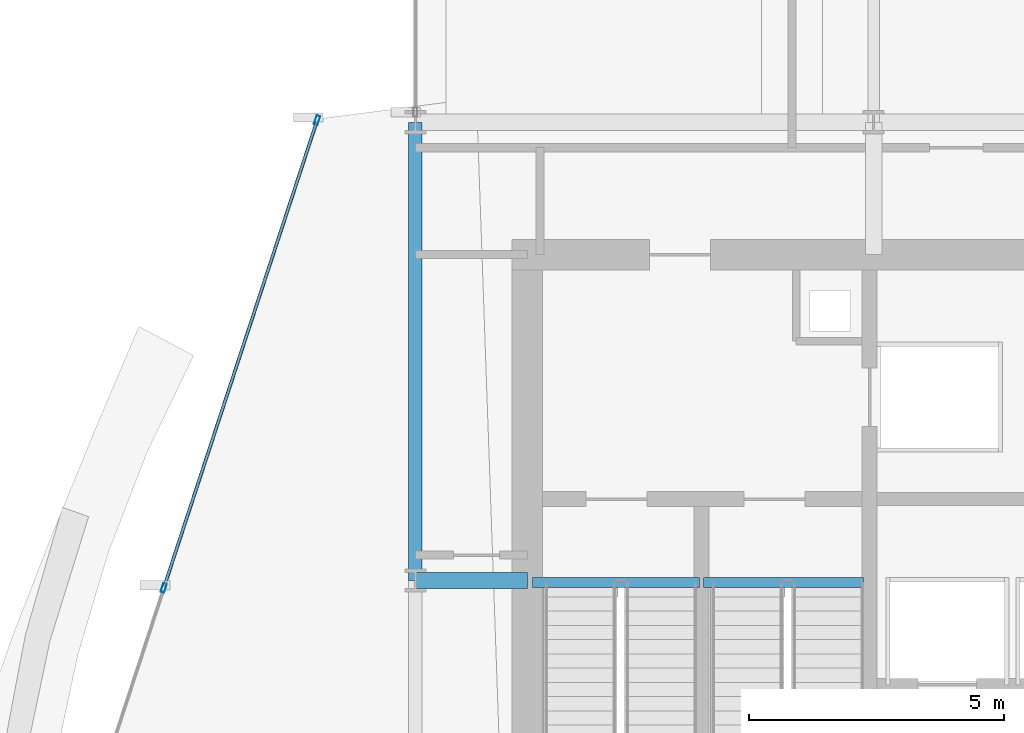
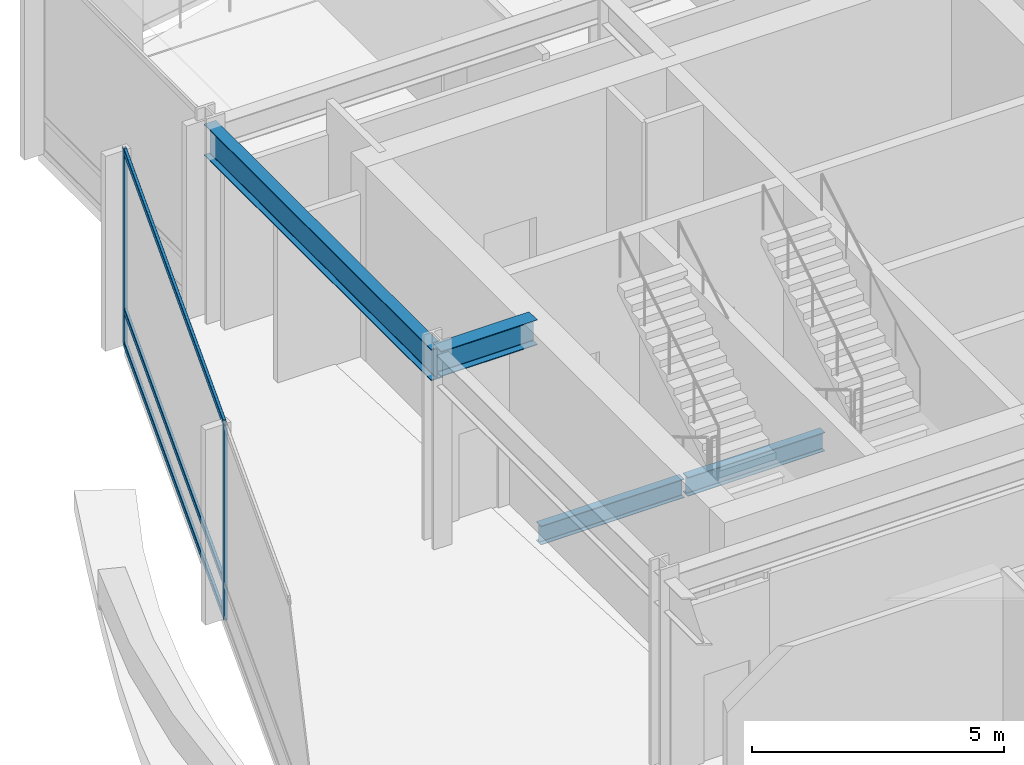
# One storey, part 15 of 33: 5 members, 4 beams, 1 element without a shape of its own.
"""IFC4 building model written with IfcOpenShell, lengths in metres."""

from ifc_helpers import new_model, si_unit, direction, frame, origin, origin_2d, place, context, subcontext, project, spatial, hollow_rectangle, i_section, extrude, material, layer, layer_set, material_profile, profile_set, type_object, element, aggregate, save


model = new_model("IFC4")

# Units and contexts
model_context = context("Model", 3, precision=1e-05, world=origin(), true_north=direction((0.0, 1.0)))
body_context = subcontext(model_context, "Body", "Model", "MODEL_VIEW")
ifc_project = project(units=[si_unit("LENGTHUNIT", "METRE"), si_unit("AREAUNIT", "SQUARE_METRE"), si_unit("VOLUMEUNIT", "CUBIC_METRE"), si_unit("PLANEANGLEUNIT", "RADIAN"), si_unit("MASSUNIT", "GRAM", prefix="KILO")], contexts=[model_context])

# Site, building, storey
site_placement = place(None, origin())
site = spatial("IfcSite", under=ifc_project, at=site_placement, CompositionType="ELEMENT")
building_placement = place(site_placement, origin())
building = spatial("IfcBuilding", under=site, at=building_placement, Name="Solvaryn Broadcast Tower", CompositionType="ELEMENT")
storey_placement = place(building_placement, frame((0.0, 0.0, 105.0)))
storey = spatial("IfcBuildingStorey", under=building, at=storey_placement, Name="L25", CompositionType="ELEMENT", Elevation=105.0)

# Beams
ifc_material_1 = material(Name="Steel ASTM A992 Grade 50", Category="steel")
ifc_material_profile_1 = material_profile(ifc_material_1, i_section(OverallWidth=0.323974609375, OverallDepth=0.611083984375, WebThickness=0.0126953125, FlangeThickness=0.01904296875, FilletRadius=0.014892578125, at=origin_2d()))
ifc_profile_set_1 = profile_set([ifc_material_profile_1], Name="Steel ASTM A992 Grade 50")
beam_type_1 = type_object("IfcBeamType", Name="BM-B1-W24X104", PredefinedType="BEAM", material=ifc_profile_set_1)
beam_1_placement = place(storey_placement, frame((9.0, 36.0, 4.41455078125), z_axis=(1.0, 0.0, 0.0), x_axis=(0.0, 1.0, 0.0)))
element("IfcBeam", 1, at=beam_1_placement, inside=storey, type_object=beam_type_1, Name="L25 Core Tie Beam CTW1", PredefinedType="BEAM", context=body_context, shape_type="SweptSolid", body=[
    extrude(i_section(OverallWidth=0.323974609375, OverallDepth=0.611083984375, WebThickness=0.0126953125, FlangeThickness=0.01904296875, FilletRadius=0.014892578125, at=origin_2d()), origin(), (0.0, 0.0, 1.0), 2.199951171875),
])
ifc_material_2 = material(Name="Steel ASTM A992 Grade 50", Category="steel")
ifc_material_profile_2 = material_profile(ifc_material_2, i_section(OverallWidth=0.18994140625, OverallDepth=0.45703125, WebThickness=0.009033203125, FlangeThickness=0.014404296875, FilletRadius=0.011962890625, at=origin_2d()))
ifc_profile_set_2 = profile_set([ifc_material_profile_2], Name="Steel ASTM A992 Grade 50")
beam_type_2 = type_object("IfcBeamType", Name="BM-B4-W18X50", PredefinedType="BEAM", material=ifc_profile_set_2)
beam_2_placement = place(storey_placement, frame((11.300048828125, 35.9599609375, -0.55859375), z_axis=(1.0, 0.0, 0.0), x_axis=(0.0, 1.0, 0.0)))
element("IfcBeam", 2, at=beam_2_placement, inside=storey, type_object=beam_type_2, Name="L25 ST1 Stair Well Trimmer Beam", PredefinedType="BEAM", context=body_context, shape_type="SweptSolid", body=[
    extrude(i_section(OverallWidth=0.18994140625, OverallDepth=0.45703125, WebThickness=0.009033203125, FlangeThickness=0.014404296875, FilletRadius=0.011962890625, at=origin_2d()), origin(), (0.0, 0.0, 1.0), 3.280029296875),
])
beam_3_placement = place(storey_placement, frame((14.659912109375, 35.9599609375, -0.55859375), z_axis=(1.0, 0.0, 0.0), x_axis=(0.0, 1.0, 0.0)))
element("IfcBeam", 3, at=beam_3_placement, inside=storey, type_object=beam_type_2, Name="L25 ST2 Stair Well Trimmer Beam", PredefinedType="BEAM", context=body_context, shape_type="SweptSolid", body=[
    extrude(i_section(OverallWidth=0.18994140625, OverallDepth=0.45703125, WebThickness=0.009033203125, FlangeThickness=0.014404296875, FilletRadius=0.011962890625, at=origin_2d()), origin(), (0.0, 0.0, 1.0), 3.14013671875),
])
ifc_material_3 = material(Name="Steel ASTM A992 Grade 50", Category="steel")
ifc_material_profile_3 = material_profile(ifc_material_3, i_section(OverallWidth=0.26708984375, OverallDepth=0.76611328125, WebThickness=0.014892578125, FlangeThickness=0.023681640625, FilletRadius=0.01806640625, at=origin_2d()))
ifc_profile_set_3 = profile_set([ifc_material_profile_3], Name="Steel ASTM A992 Grade 50")
beam_type_3 = type_object("IfcBeamType", Name="BM-SP2-W30X124", PredefinedType="USERDEFINED", material=ifc_profile_set_3)
beam_4_placement = place(storey_placement, frame((9.0, 36.0, 4.3369140625), z_axis=(0.0, 1.0, 0.0), x_axis=(-1.0, 0.0, 0.0)))
element("IfcBeam", 4, at=beam_4_placement, inside=storey, type_object=beam_type_3, Name="L25 Spandrel Beam Y (36-45 @ X=9)", ObjectType="SPANDREL", PredefinedType="USERDEFINED", context=body_context, shape_type="SweptSolid", body=[
    extrude(i_section(OverallWidth=0.26708984375, OverallDepth=0.76611328125, WebThickness=0.014892578125, FlangeThickness=0.023681640625, FilletRadius=0.01806640625, at=origin_2d()), origin(), (0.0, 0.0, 1.0), 9.0),
])

# Curtain wall, members
ifc_material_4 = material(Name="Aluminium and Terracotta Unitised Curtain Wall", Category="masonry")
ifc_layer = layer(ifc_material_4, 0.25)
ifc_layer_set = layer_set([ifc_layer], Name="CW-SYS4-SKYGARDEN")
curtain_wall_type = type_object("IfcCurtainWallType", Name="CW-SYS4-SKYGARDEN", PredefinedType="NOTDEFINED", material=ifc_layer_set)
curtain_wall_placement = place(storey_placement, origin())
curtain_wall = element("IfcCurtainWall", 5, at=curtain_wall_placement, inside=storey, type_object=curtain_wall_type, Name="L25 Curtain Wall DR1", PredefinedType="NOTDEFINED")
ifc_material_5 = material(Name="Anodised Aluminium 6063-T6", Category="aluminium")
ifc_material_profile_4 = material_profile(ifc_material_5, hollow_rectangle(XDim=0.074951171875, YDim=0.179931640625, WallThickness=0.00390625, InnerFilletRadius=0.00390625, OuterFilletRadius=0.008056640625, at=origin_2d()))
ifc_profile_set_4 = profile_set([ifc_material_profile_4], Name="Anodised Aluminium 6063-T6")
member_type_1 = type_object("IfcMemberType", Name="CW-MUL-180", PredefinedType="MULLION", material=ifc_profile_set_4)
member_1_placement = place(storey_placement, frame((7.069580078125, 45.03857421875, 0.0), z_axis=(0.0, 0.0, 1.0), x_axis=(0.950198260794, -0.311646057547, 0.0)))
member_1 = element("IfcMember", 6, at=member_1_placement, type_object=member_type_1, Name="CWS4 mullion 1", PredefinedType="MULLION", context=body_context, shape_type="SweptSolid", body=[
    extrude(hollow_rectangle(XDim=0.074951171875, YDim=0.179931640625, WallThickness=0.00390625, InnerFilletRadius=0.00390625, OuterFilletRadius=0.008056640625, at=origin_2d()), origin(), (0.0, 0.0, 1.0), 4.719970703125),
])
member_2_placement = place(storey_placement, frame((4.056396484375, 35.8515625, 0.0), z_axis=(0.0, 0.0, 1.0), x_axis=(0.950198260794, -0.311646057547, 0.0)))
member_2 = element("IfcMember", 7, at=member_2_placement, type_object=member_type_1, Name="CWS4 mullion 2", PredefinedType="MULLION", context=body_context, shape_type="SweptSolid", body=[
    extrude(hollow_rectangle(XDim=0.074951171875, YDim=0.179931640625, WallThickness=0.00390625, InnerFilletRadius=0.00390625, OuterFilletRadius=0.008056640625, at=origin_2d()), origin(), (0.0, 0.0, 1.0), 4.719970703125),
])
ifc_material_6 = material(Name="Anodised Aluminium 6063-T6", Category="aluminium")
ifc_material_profile_5 = material_profile(ifc_material_6, hollow_rectangle(XDim=0.06494140625, YDim=0.14990234375, WallThickness=0.00390625, InnerFilletRadius=0.00390625, OuterFilletRadius=0.008056640625, at=origin_2d()))
ifc_profile_set_5 = profile_set([ifc_material_profile_5], Name="Anodised Aluminium 6063-T6")
member_type_2 = type_object("IfcMemberType", Name="CW-TRN-150", PredefinedType="USERDEFINED", material=ifc_profile_set_5)
member_3_placement = place(storey_placement, frame((7.060302734375, 45.010009765625, 0.030029296875), z_axis=(-0.311642815061, -0.950199324258, 0.0), x_axis=(0.950199324258, -0.311642815061, 0.0)))
member_3 = element("IfcMember", 8, at=member_3_placement, type_object=member_type_2, Name="CWS4 transom 1.1", ObjectType="TRANSOM", PredefinedType="USERDEFINED", context=body_context, shape_type="SweptSolid", body=[
    extrude(hollow_rectangle(XDim=0.06494140625, YDim=0.14990234375, WallThickness=0.00390625, InnerFilletRadius=0.00390625, OuterFilletRadius=0.008056640625, at=origin_2d()), origin(), (0.0, 0.0, 1.0), 9.6083984375),
])
member_4_placement = place(storey_placement, frame((7.060302734375, 45.010009765625, 0.85009765625), z_axis=(-0.311642815061, -0.950199324258, 0.0), x_axis=(0.950199324258, -0.311642815061, 0.0)))
member_4 = element("IfcMember", 9, at=member_4_placement, type_object=member_type_2, Name="CWS4 transom 1.2", ObjectType="TRANSOM", PredefinedType="USERDEFINED", context=body_context, shape_type="SweptSolid", body=[
    extrude(hollow_rectangle(XDim=0.06494140625, YDim=0.14990234375, WallThickness=0.00390625, InnerFilletRadius=0.00390625, OuterFilletRadius=0.008056640625, at=origin_2d()), origin(), (0.0, 0.0, 1.0), 9.6083984375),
])
member_5_placement = place(storey_placement, frame((7.060302734375, 45.010009765625, 4.68994140625), z_axis=(-0.311642815061, -0.950199324258, 0.0), x_axis=(0.950199324258, -0.311642815061, 0.0)))
member_5 = element("IfcMember", 10, at=member_5_placement, type_object=member_type_2, Name="CWS4 transom 1.3", ObjectType="TRANSOM", PredefinedType="USERDEFINED", context=body_context, shape_type="SweptSolid", body=[
    extrude(hollow_rectangle(XDim=0.06494140625, YDim=0.14990234375, WallThickness=0.00390625, InnerFilletRadius=0.00390625, OuterFilletRadius=0.008056640625, at=origin_2d()), origin(), (0.0, 0.0, 1.0), 9.6083984375),
])
aggregate(curtain_wall, [member_1, member_2, member_3, member_4, member_5])

save(model, "model.ifc")
